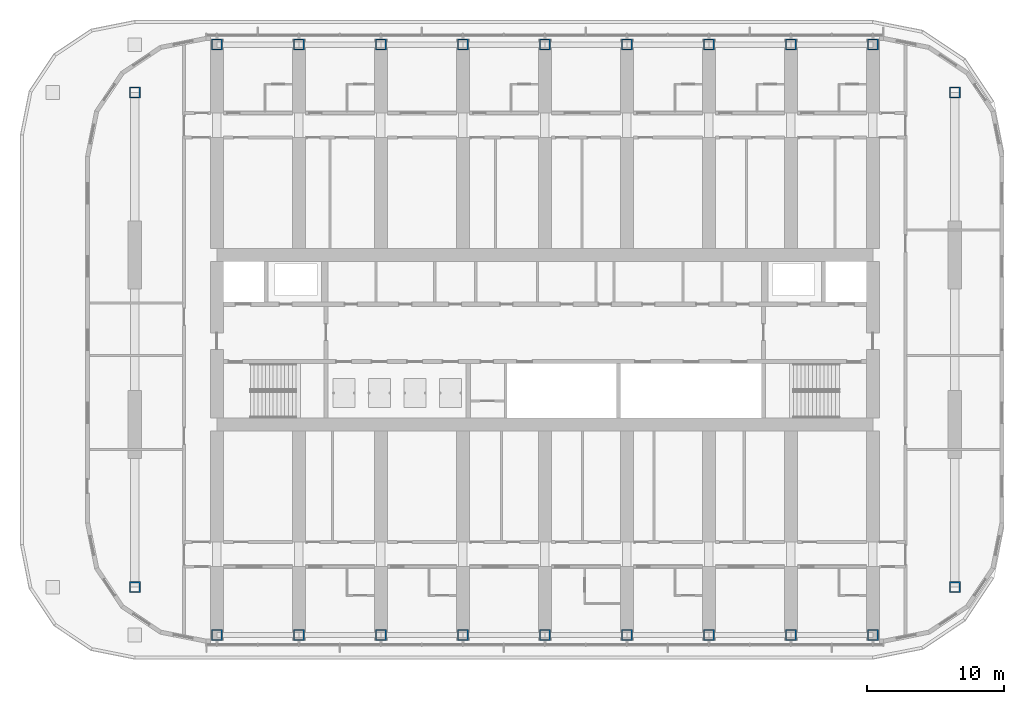
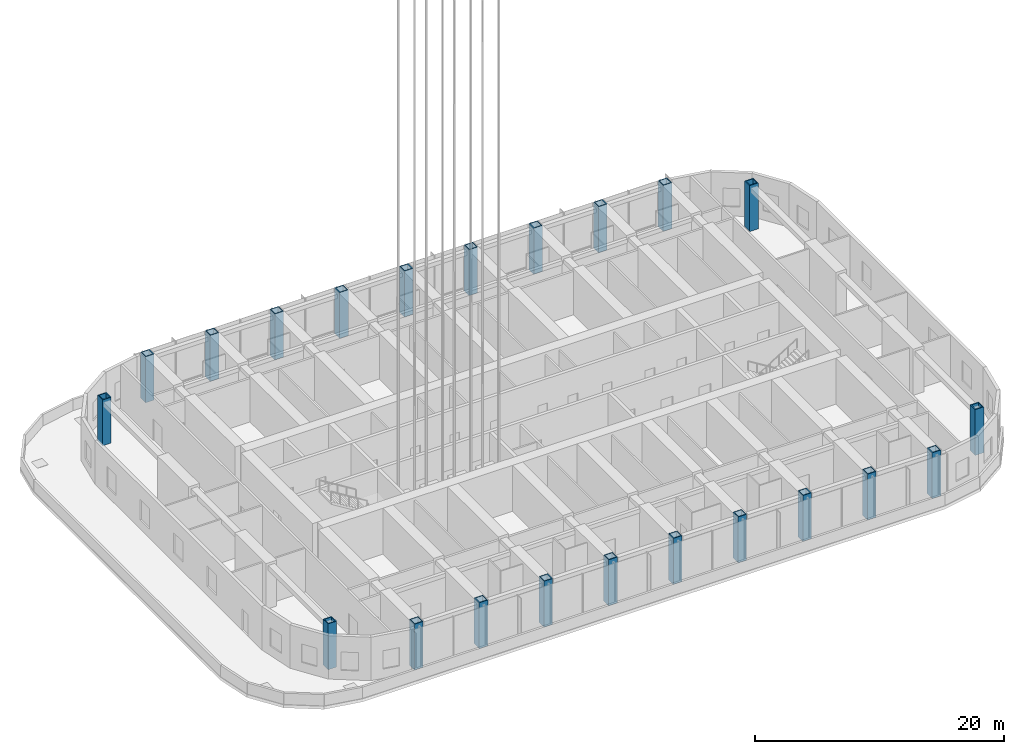
# One storey, part 1 of 32: 22 columns.
"""IFC4 building model written with IfcOpenShell, lengths in metres."""

from ifc_helpers import new_model, si_unit, direction, frame, origin, origin_2d, place, context, subcontext, project, spatial, hollow_rectangle, extrude, material, material_profile, profile_set, type_object, element, save


model = new_model("IFC4")

# Units and contexts
model_context = context("Model", 3, precision=1e-05, world=origin(), true_north=direction((0.0, 1.0)))
body_context = subcontext(model_context, "Body", "Model", "MODEL_VIEW")
ifc_project = project(units=[si_unit("LENGTHUNIT", "METRE"), si_unit("AREAUNIT", "SQUARE_METRE"), si_unit("VOLUMEUNIT", "CUBIC_METRE"), si_unit("PLANEANGLEUNIT", "RADIAN"), si_unit("MASSUNIT", "GRAM", prefix="KILO")], contexts=[model_context])

# Site, building, storey
site_placement = place(None, origin())
site = spatial("IfcSite", under=ifc_project, at=site_placement, CompositionType="ELEMENT")
building_placement = place(site_placement, origin())
building = spatial("IfcBuilding", under=site, at=building_placement, Name="Orbita Commons", CompositionType="ELEMENT")
storey_placement = place(building_placement, frame((0.0, 0.0, 140.35009765625)))
storey = spatial("IfcBuildingStorey", under=building, at=storey_placement, Name="L34", CompositionType="ELEMENT", Elevation=140.35009765625)

# Columns
ifc_material = material(Name="Steel ASTM A572 Gr 50 welded plate", Category="steel")
ifc_material_profile = material_profile(ifc_material, hollow_rectangle(XDim=0.800048828125, YDim=0.800048828125, WallThickness=0.080078125, at=origin_2d()), Name="BOX 800x800x80")
ifc_profile_set = profile_set([ifc_material_profile], Name="Steel ASTM A572 Gr 50 welded plate")
column_type = type_object("IfcColumnType", Name="Steel column BOX 800x800x80", PredefinedType="COLUMN", material=ifc_profile_set)
for number, where, z_axis, x_axis, name in (
    (1, (18.0, 10.39990234375, 0.0), (0.0, 0.0, 1.0), (1.0, 0.0, 0.0), "Column 4/B L34"),
    (2, (18.0, 53.60009765625, 0.0), (0.0, 0.0, 1.0), (1.0, 0.0, 0.0), "Column 4/E L34"),
    (3, (24.0, 10.39990234375, 0.0), (0.0, 0.0, 1.0), (1.0, 0.0, 0.0), "Column 5/B L34"),
    (4, (24.0, 53.60009765625, 0.0), (0.0, 0.0, 1.0), (1.0, 0.0, 0.0), "Column 5/E L34"),
    (5, (30.0, 10.39990234375, 0.0), (0.0, 0.0, 1.0), (1.0, 0.0, 0.0), "Column 6/B L34"),
    (6, (30.0, 53.60009765625, 0.0), (0.0, 0.0, 1.0), (1.0, 0.0, 0.0), "Column 6/E L34"),
    (7, (36.0, 10.39990234375, 0.0), (0.0, 0.0, 1.0), (1.0, 0.0, 0.0), "Column 7/B L34"),
    (8, (36.0, 53.60009765625, 0.0), (0.0, 0.0, 1.0), (1.0, 0.0, 0.0), "Column 7/E L34"),
    (9, (42.0, 10.39990234375, 0.0), (0.0, 0.0, 1.0), (1.0, 0.0, 0.0), "Column 8/B L34"),
    (10, (42.0, 53.60009765625, 0.0), (0.0, 0.0, 1.0), (1.0, 0.0, 0.0), "Column 8/E L34"),
    (11, (48.0, 10.39990234375, 0.0), (0.0, 0.0, 1.0), (1.0, 0.0, 0.0), "Column 9/B L34"),
    (12, (48.0, 53.60009765625, 0.0), (0.0, 0.0, 1.0), (1.0, 0.0, 0.0), "Column 9/E L34"),
    (13, (54.0, 10.39990234375, 0.0), (0.0, 0.0, 1.0), (1.0, 0.0, 0.0), "Column 10/B L34"),
    (14, (54.0, 53.60009765625, 0.0), (0.0, 0.0, 1.0), (1.0, 0.0, 0.0), "Column 10/E L34"),
    (15, (60.0, 10.39990234375, 0.0), (0.0, 0.0, 1.0), (1.0, 0.0, 0.0), "Column 11/B L34"),
    (16, (60.0, 53.60009765625, 0.0), (0.0, 0.0, 1.0), (1.0, 0.0, 0.0), "Column 11/E L34"),
    (17, (66.0, 10.39990234375, 0.0), (0.0, 0.0, 1.0), (1.0, 0.0, 0.0), "Column 12/B L34"),
    (18, (66.0, 53.60009765625, 0.0), (0.0, 0.0, 1.0), (1.0, 0.0, 0.0), "Column 12/E L34"),
    (19, (12.0, 13.89990234375, 0.0), (0.0, 0.0, 1.0), (1.0, 0.0, 0.0), "Column 3/13.9 L34"),
    (20, (12.0, 50.10009765625, 0.0), (0.0, 0.0, 1.0), (1.0, 0.0, 0.0), "Column 3/50.1 L34"),
    (21, (72.0, 13.89990234375, 0.0), (0.0, 0.0, 1.0), (1.0, 0.0, 0.0), "Column 13/13.9 L34"),
    (22, (72.0, 50.10009765625, 0.0), (0.0, 0.0, 1.0), (1.0, 0.0, 0.0), "Column 13/50.1 L34"),
):
    element("IfcColumn", number, at=place(storey_placement, frame(where, z_axis=z_axis, x_axis=x_axis)), inside=storey, type_object=column_type, Name=name, PredefinedType="COLUMN", context=body_context, shape_type="SweptSolid", body=[
        extrude(hollow_rectangle(XDim=0.800048828125, YDim=0.800048828125, WallThickness=0.080078125, at=origin_2d()), origin(), (0.0, 0.0, 1.0), 4.5),
    ])

save(model, "model.ifc")
